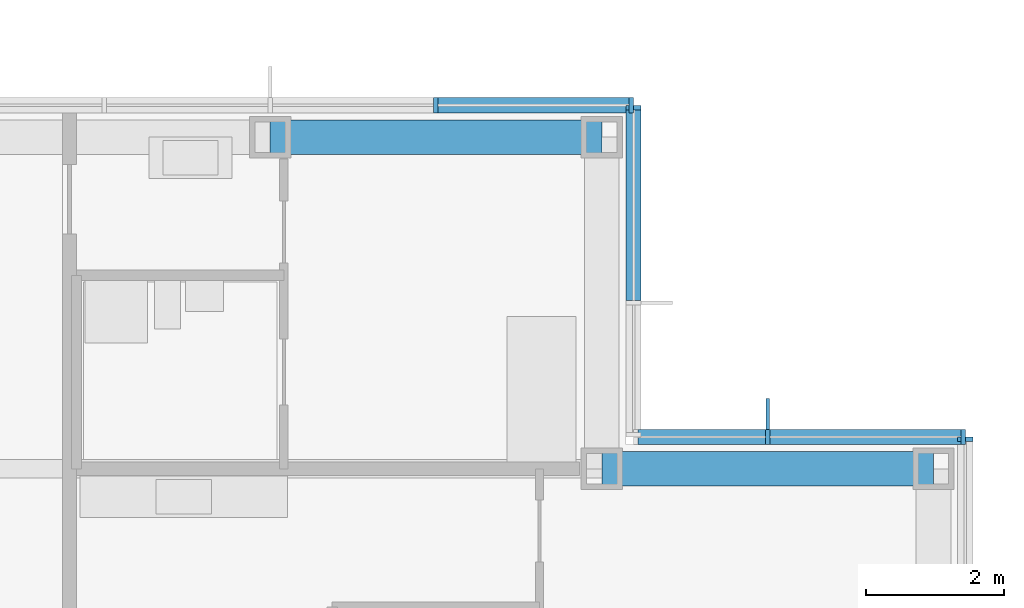
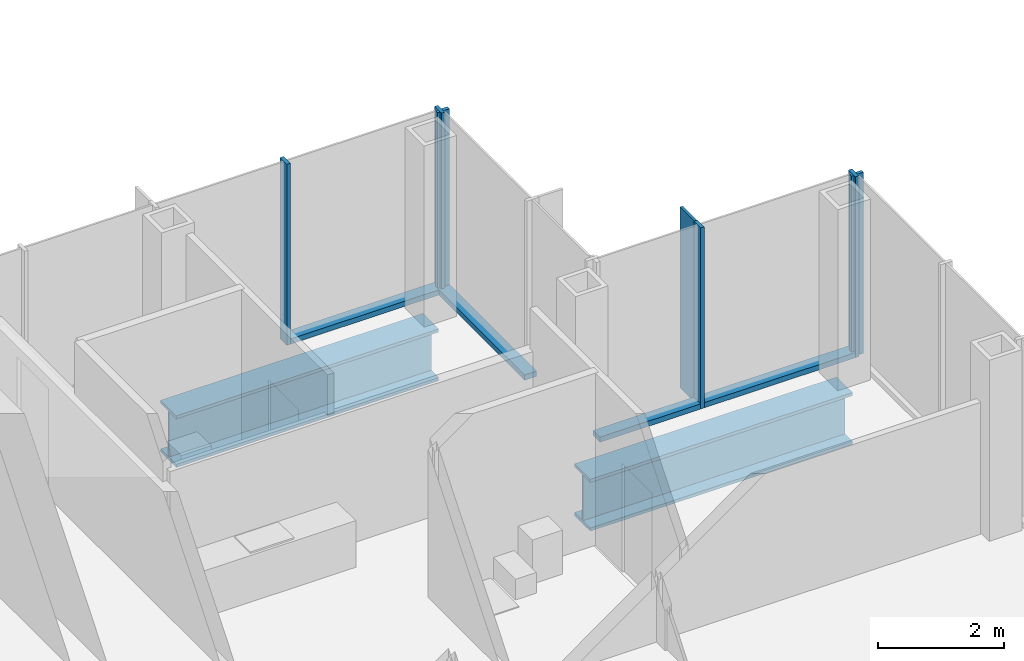
# One storey, part 9 of 20: 11 members, 2 beams, 4 elements without a shape of their own.
"""IFC4 building model written with IfcOpenShell, lengths in metres."""

from ifc_helpers import new_model, si_unit, direction, frame, origin, origin_2d, place, context, subcontext, project, spatial, rectangle, i_section, extrude, material, material_profile, profile_set, type_object, element, aggregate, save


model = new_model("IFC4")

# Units and contexts
model_context = context("Model", 3, precision=1e-05, world=origin(), true_north=direction((0.0, 1.0)))
body_context = subcontext(model_context, "Body", "Model", "MODEL_VIEW")
ifc_project = project(units=[si_unit("LENGTHUNIT", "METRE"), si_unit("AREAUNIT", "SQUARE_METRE"), si_unit("VOLUMEUNIT", "CUBIC_METRE"), si_unit("PLANEANGLEUNIT", "RADIAN"), si_unit("MASSUNIT", "GRAM", prefix="KILO")], contexts=[model_context])

# Site, building, storey
site_placement = place(None, origin())
site = spatial("IfcSite", under=ifc_project, at=site_placement, CompositionType="ELEMENT")
building_placement = place(site_placement, origin())
building = spatial("IfcBuilding", under=site, at=building_placement, Name="Kvirike Care Tower", CompositionType="ELEMENT")
storey_placement = place(building_placement, frame((0.0, 0.0, 126.0)))
storey = spatial("IfcBuildingStorey", under=building, at=storey_placement, Name="L34", CompositionType="ELEMENT", Elevation=126.0)

# Curtain wall, member
ifc_material_1 = material(Name="Anodised aluminium stick system", Category="aluminium")
curtain_wall_type = type_object("IfcCurtainWallType", Name="CW-B STICK CURTAIN WALL", PredefinedType="NOTDEFINED", material=ifc_material_1)
curtain_wall_1_placement = place(storey_placement, origin())
curtain_wall_1 = element("IfcCurtainWall", 1, at=curtain_wall_1_placement, inside=storey, type_object=curtain_wall_type, Name="Curtain wall L34 face 2", PredefinedType="NOTDEFINED")
ifc_material_2 = material(Name="Bronze anodised aluminium fin", Category="aluminium")
ifc_material_profile_1 = material_profile(ifc_material_2, rectangle(XDim=0.050048828125, YDim=0.449951171875, at=origin_2d()), Name="BRONZE FIN 450")
ifc_profile_set_1 = profile_set([ifc_material_profile_1], Name="Bronze anodised aluminium fin")
member_type_1 = type_object("IfcMemberType", Name="BRONZE FIN 450", PredefinedType="USERDEFINED", material=ifc_profile_set_1)
member_1_placement = place(storey_placement, frame((40.800048828125, 39.195068359375, 0.0), z_axis=(0.0, 0.0, 1.0), x_axis=(-1.0, 0.0, 0.0)))
member_1 = element("IfcMember", 2, at=member_1_placement, type_object=member_type_1, Name="Bronze fin L34 face 2.2", ObjectType="FIN", PredefinedType="USERDEFINED", context=body_context, shape_type="SweptSolid", body=[
    extrude(rectangle(XDim=0.050048828125, YDim=0.449951171875, at=origin_2d()), origin(), (0.0, 0.0, 1.0), 3.5),
])

curtain_wall_2_placement = place(storey_placement, origin())
curtain_wall_2 = element("IfcCurtainWall", 3, at=curtain_wall_2_placement, inside=storey, type_object=curtain_wall_type, Name="Curtain wall L34 face 1", PredefinedType="NOTDEFINED")
ifc_material_3 = material(Name="Bronze anodised aluminium mullion", Category="aluminium")
ifc_material_profile_2 = material_profile(ifc_material_3, rectangle(XDim=0.06494140625, YDim=0.219970703125, at=origin_2d()), Name="CW-B MULLION 65x220")
ifc_profile_set_2 = profile_set([ifc_material_profile_2], Name="Bronze anodised aluminium mullion")
member_type_2 = type_object("IfcMemberType", Name="CW-B MULLION 65x220", PredefinedType="MULLION", material=ifc_profile_set_2)
member_2_placement = place(storey_placement, frame((43.659912109375, 38.827392578125, 0.0), z_axis=(0.0, 0.0, 1.0), x_axis=(0.0, 1.0, 0.0)))
member_2 = element("IfcMember", 4, at=member_2_placement, type_object=member_type_2, Name="CW-B mullion L34 face 1.9", PredefinedType="MULLION", context=body_context, shape_type="SweptSolid", body=[
    extrude(rectangle(XDim=0.06494140625, YDim=0.219970703125, at=origin_2d()), origin(), (0.0, 0.0, 1.0), 3.5),
])
aggregate(curtain_wall_2, [member_2])

# Member
member_3_placement = place(storey_placement, frame((43.62744140625, 38.860107421875, 0.0), z_axis=(0.0, 0.0, 1.0), x_axis=(-1.0, 0.0, 0.0)))
member_3 = element("IfcMember", 5, at=member_3_placement, type_object=member_type_2, Name="CW-B mullion L34 face 2.1", PredefinedType="MULLION", context=body_context, shape_type="SweptSolid", body=[
    extrude(rectangle(XDim=0.06494140625, YDim=0.219970703125, at=origin_2d()), origin(), (0.0, 0.0, 1.0), 3.5),
])

member_4_placement = place(storey_placement, frame((40.800048828125, 38.860107421875, 0.0), z_axis=(0.0, 0.0, 1.0), x_axis=(-1.0, 0.0, 0.0)))
member_4 = element("IfcMember", 6, at=member_4_placement, type_object=member_type_2, Name="CW-B mullion L34 face 2.2", PredefinedType="MULLION", context=body_context, shape_type="SweptSolid", body=[
    extrude(rectangle(XDim=0.06494140625, YDim=0.219970703125, at=origin_2d()), origin(), (0.0, 0.0, 1.0), 3.5),
])

# Curtain wall, member
curtain_wall_3_placement = place(storey_placement, origin())
curtain_wall_3 = element("IfcCurtainWall", 7, at=curtain_wall_3_placement, inside=storey, type_object=curtain_wall_type, Name="Curtain wall L34 face 3", PredefinedType="NOTDEFINED")
member_5_placement = place(storey_placement, frame((38.860107421875, 43.62744140625, 0.0), z_axis=(0.0, 0.0, 1.0), x_axis=(0.0, 1.0, 0.0)))
member_5 = element("IfcMember", 8, at=member_5_placement, type_object=member_type_2, Name="CW-B mullion L34 face 3.3", PredefinedType="MULLION", context=body_context, shape_type="SweptSolid", body=[
    extrude(rectangle(XDim=0.06494140625, YDim=0.219970703125, at=origin_2d()), origin(), (0.0, 0.0, 1.0), 3.5),
])

# Curtain wall, members
curtain_wall_4_placement = place(storey_placement, origin())
curtain_wall_4 = element("IfcCurtainWall", 9, at=curtain_wall_4_placement, inside=storey, type_object=curtain_wall_type, Name="Curtain wall L34 face 4", PredefinedType="NOTDEFINED")
member_6_placement = place(storey_placement, frame((38.827392578125, 43.659912109375, 0.0), z_axis=(0.0, 0.0, 1.0), x_axis=(-1.0, 0.0, 0.0)))
member_6 = element("IfcMember", 10, at=member_6_placement, type_object=member_type_2, Name="CW-B mullion L34 face 4.1", PredefinedType="MULLION", context=body_context, shape_type="SweptSolid", body=[
    extrude(rectangle(XDim=0.06494140625, YDim=0.219970703125, at=origin_2d()), origin(), (0.0, 0.0, 1.0), 3.5),
])
member_7_placement = place(storey_placement, frame((36.0, 43.659912109375, 0.0), z_axis=(0.0, 0.0, 1.0), x_axis=(-1.0, 0.0, 0.0)))
member_7 = element("IfcMember", 11, at=member_7_placement, type_object=member_type_2, Name="CW-B mullion L34 face 4.2", PredefinedType="MULLION", context=body_context, shape_type="SweptSolid", body=[
    extrude(rectangle(XDim=0.06494140625, YDim=0.219970703125, at=origin_2d()), origin(), (0.0, 0.0, 1.0), 3.5),
])

# Member
ifc_material_4 = material(Name="Bronze anodised aluminium transom", Category="aluminium")
ifc_material_profile_3 = material_profile(ifc_material_4, rectangle(XDim=0.219970703125, YDim=0.10009765625, at=origin_2d()), Name="CW-B TRANSOM 220x100")
ifc_profile_set_3 = profile_set([ifc_material_profile_3], Name="Bronze anodised aluminium transom")
member_type_3 = type_object("IfcMemberType", Name="CW-B TRANSOM 220x100", PredefinedType="USERDEFINED", material=ifc_profile_set_3)
member_8_placement = place(storey_placement, frame((43.594970703125, 38.860107421875, 0.050048828125), z_axis=(-1.0, 0.0, 0.0), x_axis=(0.0, -1.0, 0.0)))
member_8 = element("IfcMember", 12, at=member_8_placement, type_object=member_type_3, Name="CW-B sill transom L34 face 2.1", ObjectType="TRANSOM", PredefinedType="USERDEFINED", context=body_context, shape_type="SweptSolid", body=[
    extrude(rectangle(XDim=0.219970703125, YDim=0.10009765625, at=origin_2d()), origin(), (0.0, 0.0, 1.0), 2.762451171875),
])

member_9_placement = place(storey_placement, frame((40.767578125, 38.860107421875, 0.050048828125), z_axis=(-1.0, 0.0, 0.0), x_axis=(0.0, -1.0, 0.0)))
member_9 = element("IfcMember", 13, at=member_9_placement, type_object=member_type_3, Name="CW-B sill transom L34 face 2.2", ObjectType="TRANSOM", PredefinedType="USERDEFINED", context=body_context, shape_type="SweptSolid", body=[
    extrude(rectangle(XDim=0.219970703125, YDim=0.10009765625, at=origin_2d()), origin(), (0.0, 0.0, 1.0), 1.842529296875),
])

aggregate(curtain_wall_1, [member_3, member_4, member_1, member_8, member_9])

member_10_placement = place(storey_placement, frame((38.860107421875, 40.83251953125, 0.050048828125), z_axis=(0.0, 1.0, 0.0), x_axis=(-1.0, 0.0, 0.0)))
member_10 = element("IfcMember", 14, at=member_10_placement, type_object=member_type_3, Name="CW-B sill transom L34 face 3.2", ObjectType="TRANSOM", PredefinedType="USERDEFINED", context=body_context, shape_type="SweptSolid", body=[
    extrude(rectangle(XDim=0.219970703125, YDim=0.10009765625, at=origin_2d()), origin(), (0.0, 0.0, 1.0), 2.762451171875),
])

aggregate(curtain_wall_3, [member_5, member_10])

member_11_placement = place(storey_placement, frame((38.794921875, 43.659912109375, 0.050048828125), z_axis=(-1.0, 0.0, 0.0), x_axis=(0.0, -1.0, 0.0)))
member_11 = element("IfcMember", 15, at=member_11_placement, type_object=member_type_3, Name="CW-B sill transom L34 face 4.1", ObjectType="TRANSOM", PredefinedType="USERDEFINED", context=body_context, shape_type="SweptSolid", body=[
    extrude(rectangle(XDim=0.219970703125, YDim=0.10009765625, at=origin_2d()), origin(), (0.0, 0.0, 1.0), 2.762451171875),
])

aggregate(curtain_wall_4, [member_6, member_7, member_11])

# Beams
ifc_material_5 = material(Name="Steel S355", Category="steel")
ifc_material_profile_4 = material_profile(ifc_material_5, i_section(OverallWidth=0.5, OverallDepth=1.0, WebThickness=0.030029296875, FlangeThickness=0.06005859375, at=origin_2d()), Name="PG 1000x500x30x60")
ifc_profile_set_4 = profile_set([ifc_material_profile_4], Name="Steel S355")
beam_type = type_object("IfcBeamType", Name="SPANDREL PG 1000x500x30x60", PredefinedType="SPANDREL", material=ifc_profile_set_4)
beam_1_placement = place(storey_placement, frame((38.39990234375, 38.39990234375, -0.669921875), z_axis=(1.0, 0.0, 0.0), x_axis=(0.0, 1.0, 0.0)))
element("IfcBeam", 16, at=beam_1_placement, inside=storey, type_object=beam_type, Name="Spandrel J11-J12 L34", PredefinedType="SPANDREL", context=body_context, shape_type="SweptSolid", body=[
    extrude(i_section(OverallWidth=0.5, OverallDepth=1.0, WebThickness=0.030029296875, FlangeThickness=0.06005859375, at=origin_2d()), origin(), (0.0, 0.0, 1.0), 4.800048828125),
])
beam_2_placement = place(storey_placement, frame((33.60009765625, 43.199951171875, -0.669921875), z_axis=(1.0, 0.0, 0.0), x_axis=(0.0, 1.0, 0.0)))
element("IfcBeam", 17, at=beam_2_placement, inside=storey, type_object=beam_type, Name="Spandrel K10-K11 L34", PredefinedType="SPANDREL", context=body_context, shape_type="SweptSolid", body=[
    extrude(i_section(OverallWidth=0.5, OverallDepth=1.0, WebThickness=0.030029296875, FlangeThickness=0.06005859375, at=origin_2d()), origin(), (0.0, 0.0, 1.0), 4.7998046875),
])

save(model, "model.ifc")
